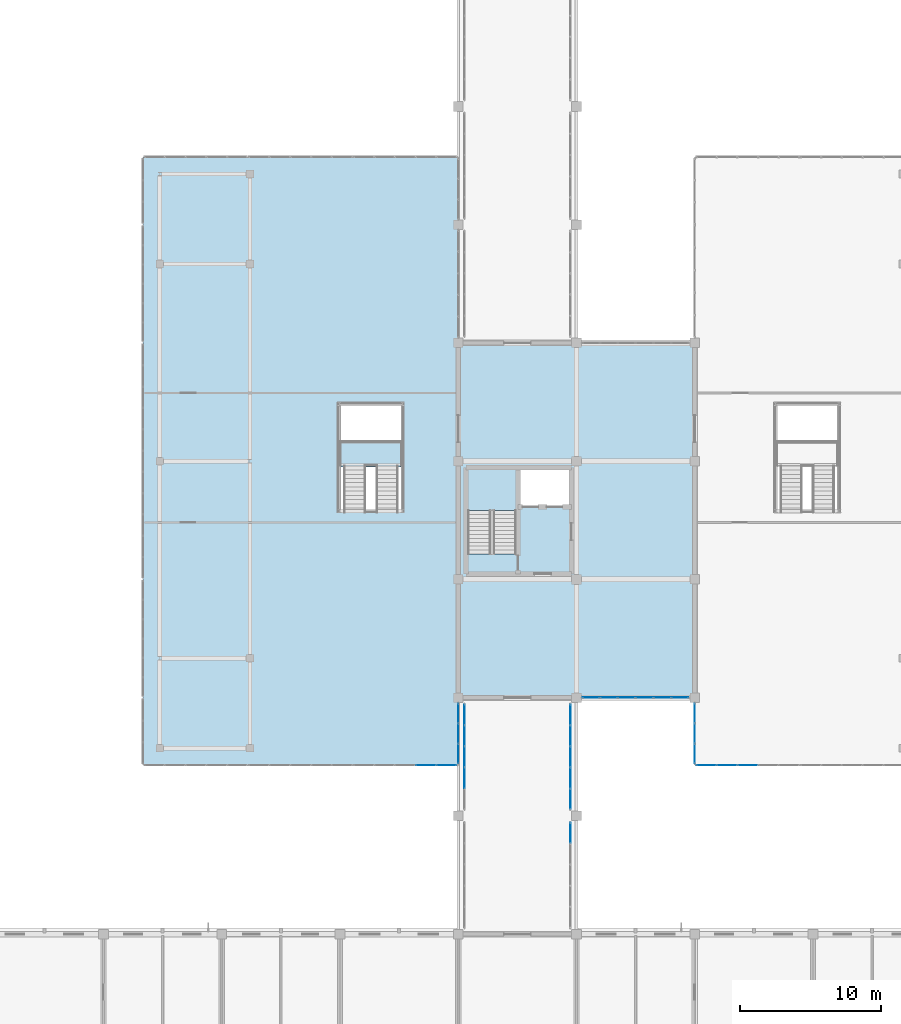
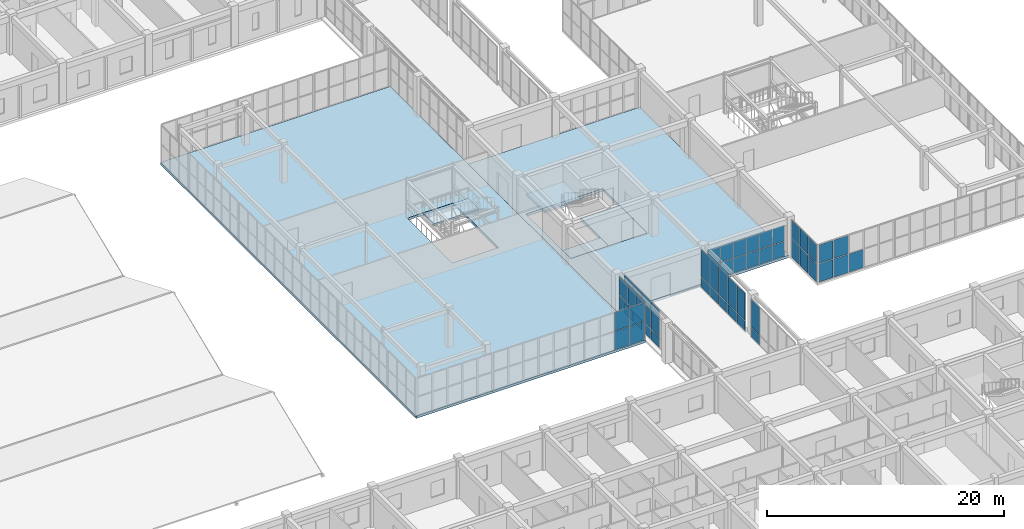
# One storey, part 98 of 140: 53 plates, 6 slabs, 10 elements without a shape of their own.
"""IFC4 building model written with IfcOpenShell, lengths in metres."""

from ifc_helpers import new_model, si_unit, direction, frame, origin, origin_2d, place, context, subcontext, project, spatial, polyline, rectangle, outline, extrude, material, layer, layer_set, type_object, element, aggregate, save


model = new_model("IFC4")

# Units and contexts
model_context = context("Model", 3, precision=1e-05, world=origin(), true_north=direction((0.0, 1.0)))
body_context = subcontext(model_context, "Body", "Model", "MODEL_VIEW")
ifc_project = project(units=[si_unit("LENGTHUNIT", "METRE"), si_unit("AREAUNIT", "SQUARE_METRE"), si_unit("VOLUMEUNIT", "CUBIC_METRE"), si_unit("PLANEANGLEUNIT", "RADIAN"), si_unit("MASSUNIT", "GRAM", prefix="KILO")], contexts=[model_context])

# Site, building, storey
site_placement = place(None, origin())
site = spatial("IfcSite", under=ifc_project, at=site_placement, CompositionType="ELEMENT")
building_placement = place(site_placement, origin())
building = spatial("IfcBuilding", under=site, at=building_placement, Name="Trelvath General Hospital", CompositionType="ELEMENT")
storey_placement = place(building_placement, frame((0.0, 0.0, 16.199951171875)))
storey = spatial("IfcBuildingStorey", under=building, at=storey_placement, Name="L04", CompositionType="ELEMENT", Elevation=16.199951171875)

# Curtain wall, plates
ifc_material_1 = material(Name="Anodised aluminium and low-E glass", Category="aluminium")
ifc_layer_1 = layer(ifc_material_1, 0.139892578125)
ifc_layer_set_1 = layer_set([ifc_layer_1], Name="Anodised aluminium and low-E glass")
curtain_wall_type_1 = type_object("IfcCurtainWallType", Name="CW CrystalCube 737 396 14", PredefinedType="USERDEFINED", material=ifc_layer_set_1)
curtain_wall_1_placement = place(storey_placement, origin())
curtain_wall_1 = element("IfcCurtainWall", 1, at=curtain_wall_1_placement, inside=storey, type_object=curtain_wall_type_1, Name="Crystal Cube Curtain Wall CUBE-W-T1 S3 L04", ObjectType="Unitised Glazed Curtain Wall", PredefinedType="USERDEFINED")
ifc_material_2 = material(Name="Low-E laminated glass", Category="glass")
ifc_layer_2 = layer(ifc_material_2, 0.028076171875)
ifc_layer_set_2 = layer_set([ifc_layer_2], Name="Low-E laminated glass")
plate_type_1 = type_object("IfcPlateType", Name="CurtainPanel Glass28", PredefinedType="CURTAIN_PANEL", material=ifc_layer_set_2)
plate_1_placement = place(storey_placement, frame((74.768310546875, 37.199951171875, 0.06005859375), z_axis=(0.0, 0.0, 1.0), x_axis=(-1.0, 0.0, 0.0)))
plate_1 = element("IfcPlate", 2, at=plate_1_placement, type_object=plate_type_1, Name="CW-270 panel 1.1", PredefinedType="CURTAIN_PANEL", context=body_context, shape_type="SweptSolid", body=[
    extrude(rectangle(XDim=1.38330078125, YDim=0.028076171875, at=origin_2d()), origin(), (0.0, 0.0, 1.0), 1.889892578125),
])
plate_2_placement = place(storey_placement, frame((74.768310546875, 37.199951171875, 2.01025390625), z_axis=(0.0, 0.0, 1.0), x_axis=(-1.0, 0.0, 0.0)))
plate_2 = element("IfcPlate", 3, at=plate_2_placement, type_object=plate_type_1, Name="CW-270 panel 1.2", PredefinedType="CURTAIN_PANEL", context=body_context, shape_type="SweptSolid", body=[
    extrude(rectangle(XDim=1.38330078125, YDim=0.028076171875, at=origin_2d()), origin(), (0.0, 0.0, 1.0), 1.889892578125),
])
plate_3_placement = place(storey_placement, frame((73.31005859375, 37.199951171875, 0.06005859375), z_axis=(0.0, 0.0, 1.0), x_axis=(-1.0, 0.0, 0.0)))
plate_3 = element("IfcPlate", 4, at=plate_3_placement, type_object=plate_type_1, Name="CW-270 panel 2.1", PredefinedType="CURTAIN_PANEL", context=body_context, shape_type="SweptSolid", body=[
    extrude(rectangle(XDim=1.413330078125, YDim=0.028076171875, at=origin_2d()), origin(), (0.0, 0.0, 1.0), 1.889892578125),
])
plate_4_placement = place(storey_placement, frame((73.31005859375, 37.199951171875, 2.01025390625), z_axis=(0.0, 0.0, 1.0), x_axis=(-1.0, 0.0, 0.0)))
plate_4 = element("IfcPlate", 5, at=plate_4_placement, type_object=plate_type_1, Name="CW-270 panel 2.2", PredefinedType="CURTAIN_PANEL", context=body_context, shape_type="SweptSolid", body=[
    extrude(rectangle(XDim=1.413330078125, YDim=0.028076171875, at=origin_2d()), origin(), (0.0, 0.0, 1.0), 1.889892578125),
])
aggregate(curtain_wall_1, [plate_1, plate_2, plate_3, plate_4])

ifc_material_3 = material(Name="Anodised aluminium and low-E glass", Category="aluminium")
ifc_layer_3 = layer(ifc_material_3, 0.139892578125)
ifc_layer_set_3 = layer_set([ifc_layer_3], Name="Anodised aluminium and low-E glass")
curtain_wall_type_2 = type_object("IfcCurtainWallType", Name="CW CrystalCube 435 396 14", PredefinedType="USERDEFINED", material=ifc_layer_set_3)
curtain_wall_2_placement = place(storey_placement, origin())
curtain_wall_2 = element("IfcCurtainWall", 6, at=curtain_wall_2_placement, inside=storey, type_object=curtain_wall_type_2, Name="Crystal Cube Curtain Wall CUBE-W-T1 E1 L04", ObjectType="Unitised Glazed Curtain Wall", PredefinedType="USERDEFINED")
plate_5_placement = place(storey_placement, frame((75.60009765625, 40.889892578125, 0.06005859375), z_axis=(0.0, 0.0, 1.0), x_axis=(0.0, -1.0, 0.0)))
plate_5 = element("IfcPlate", 7, at=plate_5_placement, type_object=plate_type_1, Name="CW-275 panel 1.1", PredefinedType="CURTAIN_PANEL", context=body_context, shape_type="SweptSolid", body=[
    extrude(rectangle(XDim=1.360107421875, YDim=0.028076171875, at=origin_2d()), origin(), (0.0, 0.0, 1.0), 1.889892578125),
])
plate_6_placement = place(storey_placement, frame((75.60009765625, 40.889892578125, 2.01025390625), z_axis=(0.0, 0.0, 1.0), x_axis=(0.0, -1.0, 0.0)))
plate_6 = element("IfcPlate", 8, at=plate_6_placement, type_object=plate_type_1, Name="CW-275 panel 1.2", PredefinedType="CURTAIN_PANEL", context=body_context, shape_type="SweptSolid", body=[
    extrude(rectangle(XDim=1.360107421875, YDim=0.028076171875, at=origin_2d()), origin(), (0.0, 0.0, 1.0), 1.889892578125),
])
plate_7_placement = place(storey_placement, frame((75.60009765625, 39.455078125, 0.06005859375), z_axis=(0.0, 0.0, 1.0), x_axis=(0.0, -1.0, 0.0)))
plate_7 = element("IfcPlate", 9, at=plate_7_placement, type_object=plate_type_1, Name="CW-275 panel 2.1", PredefinedType="CURTAIN_PANEL", context=body_context, shape_type="SweptSolid", body=[
    extrude(rectangle(XDim=1.389892578125, YDim=0.028076171875, at=origin_2d()), origin(), (0.0, 0.0, 1.0), 1.889892578125),
])
plate_8_placement = place(storey_placement, frame((75.60009765625, 39.455078125, 2.01025390625), z_axis=(0.0, 0.0, 1.0), x_axis=(0.0, -1.0, 0.0)))
plate_8 = element("IfcPlate", 10, at=plate_8_placement, type_object=plate_type_1, Name="CW-275 panel 2.2", PredefinedType="CURTAIN_PANEL", context=body_context, shape_type="SweptSolid", body=[
    extrude(rectangle(XDim=1.389892578125, YDim=0.028076171875, at=origin_2d()), origin(), (0.0, 0.0, 1.0), 1.889892578125),
])
plate_9_placement = place(storey_placement, frame((75.60009765625, 38.02001953125, 0.06005859375), z_axis=(0.0, 0.0, 1.0), x_axis=(0.0, -1.0, 0.0)))
plate_9 = element("IfcPlate", 11, at=plate_9_placement, type_object=plate_type_1, Name="CW-275 panel 3.1", PredefinedType="CURTAIN_PANEL", context=body_context, shape_type="SweptSolid", body=[
    extrude(rectangle(XDim=1.360107421875, YDim=0.028076171875, at=origin_2d()), origin(), (0.0, 0.0, 1.0), 1.889892578125),
])
plate_10_placement = place(storey_placement, frame((75.60009765625, 38.02001953125, 2.01025390625), z_axis=(0.0, 0.0, 1.0), x_axis=(0.0, -1.0, 0.0)))
plate_10 = element("IfcPlate", 12, at=plate_10_placement, type_object=plate_type_1, Name="CW-275 panel 3.2", PredefinedType="CURTAIN_PANEL", context=body_context, shape_type="SweptSolid", body=[
    extrude(rectangle(XDim=1.360107421875, YDim=0.028076171875, at=origin_2d()), origin(), (0.0, 0.0, 1.0), 1.889892578125),
])
aggregate(curtain_wall_2, [plate_5, plate_6, plate_7, plate_8, plate_9, plate_10])

curtain_wall_3_placement = place(storey_placement, origin())
curtain_wall_3 = element("IfcCurtainWall", 13, at=curtain_wall_3_placement, inside=storey, type_object=curtain_wall_type_1, Name="Crystal Cube Curtain Wall CUBE-E-T1 S1 L04", ObjectType="Unitised Glazed Curtain Wall", PredefinedType="USERDEFINED")
plate_11_placement = place(storey_placement, frame((96.163330078125, 37.199951171875, 0.06005859375), z_axis=(0.0, 0.0, 1.0), x_axis=(-1.0, 0.0, 0.0)))
plate_11 = element("IfcPlate", 14, at=plate_11_placement, type_object=plate_type_1, Name="CW-282 panel 3.1", PredefinedType="CURTAIN_PANEL", context=body_context, shape_type="SweptSolid", body=[
    extrude(rectangle(XDim=1.413330078125, YDim=0.028076171875, at=origin_2d()), origin(), (0.0, 0.0, 1.0), 1.889892578125),
])
plate_12_placement = place(storey_placement, frame((94.68994140625, 37.199951171875, 0.06005859375), z_axis=(0.0, 0.0, 1.0), x_axis=(-1.0, 0.0, 0.0)))
plate_12 = element("IfcPlate", 15, at=plate_12_placement, type_object=plate_type_1, Name="CW-282 panel 4.1", PredefinedType="CURTAIN_PANEL", context=body_context, shape_type="SweptSolid", body=[
    extrude(rectangle(XDim=1.413330078125, YDim=0.028076171875, at=origin_2d()), origin(), (0.0, 0.0, 1.0), 1.889892578125),
])
plate_13_placement = place(storey_placement, frame((94.68994140625, 37.199951171875, 2.01025390625), z_axis=(0.0, 0.0, 1.0), x_axis=(-1.0, 0.0, 0.0)))
plate_13 = element("IfcPlate", 16, at=plate_13_placement, type_object=plate_type_1, Name="CW-282 panel 4.2", PredefinedType="CURTAIN_PANEL", context=body_context, shape_type="SweptSolid", body=[
    extrude(rectangle(XDim=1.413330078125, YDim=0.028076171875, at=origin_2d()), origin(), (0.0, 0.0, 1.0), 1.889892578125),
])
plate_14_placement = place(storey_placement, frame((93.231689453125, 37.199951171875, 0.06005859375), z_axis=(0.0, 0.0, 1.0), x_axis=(-1.0, 0.0, 0.0)))
plate_14 = element("IfcPlate", 17, at=plate_14_placement, type_object=plate_type_1, Name="CW-282 panel 5.1", PredefinedType="CURTAIN_PANEL", context=body_context, shape_type="SweptSolid", body=[
    extrude(rectangle(XDim=1.38330078125, YDim=0.028076171875, at=origin_2d()), origin(), (0.0, 0.0, 1.0), 1.889892578125),
])
plate_15_placement = place(storey_placement, frame((93.231689453125, 37.199951171875, 2.01025390625), z_axis=(0.0, 0.0, 1.0), x_axis=(-1.0, 0.0, 0.0)))
plate_15 = element("IfcPlate", 18, at=plate_15_placement, type_object=plate_type_1, Name="CW-282 panel 5.2", PredefinedType="CURTAIN_PANEL", context=body_context, shape_type="SweptSolid", body=[
    extrude(rectangle(XDim=1.38330078125, YDim=0.028076171875, at=origin_2d()), origin(), (0.0, 0.0, 1.0), 1.889892578125),
])
aggregate(curtain_wall_3, [plate_11, plate_12, plate_13, plate_14, plate_15])

curtain_wall_4_placement = place(storey_placement, origin())
curtain_wall_4 = element("IfcCurtainWall", 19, at=curtain_wall_4_placement, inside=storey, type_object=curtain_wall_type_2, Name="Crystal Cube Curtain Wall CUBE-E-T1 W1 L04", ObjectType="Unitised Glazed Curtain Wall", PredefinedType="USERDEFINED")
plate_16_placement = place(storey_placement, frame((92.39990234375, 38.02001953125, 0.06005859375), z_axis=(0.0, 0.0, 1.0), x_axis=(0.0, 1.0, 0.0)))
plate_16 = element("IfcPlate", 20, at=plate_16_placement, type_object=plate_type_1, Name="CW-289 panel 1.1", PredefinedType="CURTAIN_PANEL", context=body_context, shape_type="SweptSolid", body=[
    extrude(rectangle(XDim=1.360107421875, YDim=0.028076171875, at=origin_2d()), origin(), (0.0, 0.0, 1.0), 1.889892578125),
])
plate_17_placement = place(storey_placement, frame((92.39990234375, 38.02001953125, 2.01025390625), z_axis=(0.0, 0.0, 1.0), x_axis=(0.0, 1.0, 0.0)))
plate_17 = element("IfcPlate", 21, at=plate_17_placement, type_object=plate_type_1, Name="CW-289 panel 1.2", PredefinedType="CURTAIN_PANEL", context=body_context, shape_type="SweptSolid", body=[
    extrude(rectangle(XDim=1.360107421875, YDim=0.028076171875, at=origin_2d()), origin(), (0.0, 0.0, 1.0), 1.889892578125),
])
plate_18_placement = place(storey_placement, frame((92.39990234375, 39.455078125, 0.06005859375), z_axis=(0.0, 0.0, 1.0), x_axis=(0.0, 1.0, 0.0)))
plate_18 = element("IfcPlate", 22, at=plate_18_placement, type_object=plate_type_1, Name="CW-289 panel 2.1", PredefinedType="CURTAIN_PANEL", context=body_context, shape_type="SweptSolid", body=[
    extrude(rectangle(XDim=1.389892578125, YDim=0.028076171875, at=origin_2d()), origin(), (0.0, 0.0, 1.0), 1.889892578125),
])
plate_19_placement = place(storey_placement, frame((92.39990234375, 39.455078125, 2.01025390625), z_axis=(0.0, 0.0, 1.0), x_axis=(0.0, 1.0, 0.0)))
plate_19 = element("IfcPlate", 23, at=plate_19_placement, type_object=plate_type_1, Name="CW-289 panel 2.2", PredefinedType="CURTAIN_PANEL", context=body_context, shape_type="SweptSolid", body=[
    extrude(rectangle(XDim=1.389892578125, YDim=0.028076171875, at=origin_2d()), origin(), (0.0, 0.0, 1.0), 1.889892578125),
])
plate_20_placement = place(storey_placement, frame((92.39990234375, 40.889892578125, 0.06005859375), z_axis=(0.0, 0.0, 1.0), x_axis=(0.0, 1.0, 0.0)))
plate_20 = element("IfcPlate", 24, at=plate_20_placement, type_object=plate_type_1, Name="CW-289 panel 3.1", PredefinedType="CURTAIN_PANEL", context=body_context, shape_type="SweptSolid", body=[
    extrude(rectangle(XDim=1.360107421875, YDim=0.028076171875, at=origin_2d()), origin(), (0.0, 0.0, 1.0), 1.889892578125),
])
plate_21_placement = place(storey_placement, frame((92.39990234375, 40.889892578125, 2.01025390625), z_axis=(0.0, 0.0, 1.0), x_axis=(0.0, 1.0, 0.0)))
plate_21 = element("IfcPlate", 25, at=plate_21_placement, type_object=plate_type_1, Name="CW-289 panel 3.2", PredefinedType="CURTAIN_PANEL", context=body_context, shape_type="SweptSolid", body=[
    extrude(rectangle(XDim=1.360107421875, YDim=0.028076171875, at=origin_2d()), origin(), (0.0, 0.0, 1.0), 1.889892578125),
])
aggregate(curtain_wall_4, [plate_16, plate_17, plate_18, plate_19, plate_20, plate_21])

ifc_material_4 = material(Name="Anodised aluminium and low-E glass", Category="aluminium")
ifc_layer_4 = layer(ifc_material_4, 0.139892578125)
ifc_layer_set_4 = layer_set([ifc_layer_4], Name="Anodised aluminium and low-E glass")
curtain_wall_type_3 = type_object("IfcCurtainWallType", Name="CW Bridge 752 401", PredefinedType="USERDEFINED", material=ifc_layer_set_4)
curtain_wall_5_placement = place(storey_placement, origin())
curtain_wall_5 = element("IfcCurtainWall", 26, at=curtain_wall_5_placement, inside=storey, type_object=curtain_wall_type_3, Name="Glazed Bridge Curtain Wall BRG-S-C E L04", ObjectType="Unitised Glazed Curtain Wall", PredefinedType="USERDEFINED")
plate_22_placement = place(storey_placement, frame((83.56005859375, 32.39306640625, 0.06005859375), z_axis=(0.0, 0.0, 1.0), x_axis=(0.0, -1.0, 0.0)))
plate_22 = element("IfcPlate", 27, at=plate_22_placement, type_object=plate_type_1, Name="CW-303 panel 1.1", PredefinedType="CURTAIN_PANEL", context=body_context, shape_type="SweptSolid", body=[
    extrude(rectangle(XDim=1.4140625, YDim=0.028076171875, at=origin_2d()), origin(), (0.0, 0.0, 1.0), 1.010009765625),
])
plate_23_placement = place(storey_placement, frame((83.56005859375, 32.39306640625, 1.1298828125), z_axis=(0.0, 0.0, 1.0), x_axis=(0.0, -1.0, 0.0)))
plate_23 = element("IfcPlate", 28, at=plate_23_placement, type_object=plate_type_1, Name="CW-303 panel 1.2", PredefinedType="CURTAIN_PANEL", context=body_context, shape_type="SweptSolid", body=[
    extrude(rectangle(XDim=1.4140625, YDim=0.028076171875, at=origin_2d()), origin(), (0.0, 0.0, 1.0), 2.820068359375),
])
aggregate(curtain_wall_5, [plate_22, plate_23])

curtain_wall_6_placement = place(storey_placement, origin())
curtain_wall_6 = element("IfcCurtainWall", 29, at=curtain_wall_6_placement, inside=storey, type_object=curtain_wall_type_3, Name="Glazed Bridge Curtain Wall BRG-S-C W L04", ObjectType="Unitised Glazed Curtain Wall", PredefinedType="USERDEFINED")
plate_24_placement = place(storey_placement, frame((76.0400390625, 36.2958984375, 0.06005859375), z_axis=(0.0, 0.0, 1.0), x_axis=(0.0, 1.0, 0.0)))
plate_24 = element("IfcPlate", 30, at=plate_24_placement, type_object=plate_type_1, Name="CW-304 panel 2.1", PredefinedType="CURTAIN_PANEL", context=body_context, shape_type="SweptSolid", body=[
    extrude(rectangle(XDim=1.444091796875, YDim=0.028076171875, at=origin_2d()), origin(), (0.0, 0.0, 1.0), 1.010009765625),
])
plate_25_placement = place(storey_placement, frame((76.0400390625, 36.2958984375, 1.1298828125), z_axis=(0.0, 0.0, 1.0), x_axis=(0.0, 1.0, 0.0)))
plate_25 = element("IfcPlate", 31, at=plate_25_placement, type_object=plate_type_1, Name="CW-304 panel 2.2", PredefinedType="CURTAIN_PANEL", context=body_context, shape_type="SweptSolid", body=[
    extrude(rectangle(XDim=1.444091796875, YDim=0.028076171875, at=origin_2d()), origin(), (0.0, 0.0, 1.0), 2.820068359375),
])
plate_26_placement = place(storey_placement, frame((76.0400390625, 37.800048828125, 0.06005859375), z_axis=(0.0, 0.0, 1.0), x_axis=(0.0, 1.0, 0.0)))
plate_26 = element("IfcPlate", 32, at=plate_26_placement, type_object=plate_type_1, Name="CW-304 panel 3.1", PredefinedType="CURTAIN_PANEL", context=body_context, shape_type="SweptSolid", body=[
    extrude(rectangle(XDim=1.444091796875, YDim=0.028076171875, at=origin_2d()), origin(), (0.0, 0.0, 1.0), 1.010009765625),
])
plate_27_placement = place(storey_placement, frame((76.0400390625, 37.800048828125, 1.1298828125), z_axis=(0.0, 0.0, 1.0), x_axis=(0.0, 1.0, 0.0)))
plate_27 = element("IfcPlate", 33, at=plate_27_placement, type_object=plate_type_1, Name="CW-304 panel 3.2", PredefinedType="CURTAIN_PANEL", context=body_context, shape_type="SweptSolid", body=[
    extrude(rectangle(XDim=1.444091796875, YDim=0.028076171875, at=origin_2d()), origin(), (0.0, 0.0, 1.0), 2.820068359375),
])
plate_28_placement = place(storey_placement, frame((76.0400390625, 39.303955078125, 0.06005859375), z_axis=(0.0, 0.0, 1.0), x_axis=(0.0, 1.0, 0.0)))
plate_28 = element("IfcPlate", 34, at=plate_28_placement, type_object=plate_type_1, Name="CW-304 panel 4.1", PredefinedType="CURTAIN_PANEL", context=body_context, shape_type="SweptSolid", body=[
    extrude(rectangle(XDim=1.444091796875, YDim=0.028076171875, at=origin_2d()), origin(), (0.0, 0.0, 1.0), 1.010009765625),
])
plate_29_placement = place(storey_placement, frame((76.0400390625, 39.303955078125, 1.1298828125), z_axis=(0.0, 0.0, 1.0), x_axis=(0.0, 1.0, 0.0)))
plate_29 = element("IfcPlate", 35, at=plate_29_placement, type_object=plate_type_1, Name="CW-304 panel 4.2", PredefinedType="CURTAIN_PANEL", context=body_context, shape_type="SweptSolid", body=[
    extrude(rectangle(XDim=1.444091796875, YDim=0.028076171875, at=origin_2d()), origin(), (0.0, 0.0, 1.0), 2.820068359375),
])
plate_30_placement = place(storey_placement, frame((76.0400390625, 40.79296875, 0.06005859375), z_axis=(0.0, 0.0, 1.0), x_axis=(0.0, 1.0, 0.0)))
plate_30 = element("IfcPlate", 36, at=plate_30_placement, type_object=plate_type_1, Name="CW-304 panel 5.1", PredefinedType="CURTAIN_PANEL", context=body_context, shape_type="SweptSolid", body=[
    extrude(rectangle(XDim=1.4140625, YDim=0.028076171875, at=origin_2d()), origin(), (0.0, 0.0, 1.0), 1.010009765625),
])
plate_31_placement = place(storey_placement, frame((76.0400390625, 40.79296875, 1.1298828125), z_axis=(0.0, 0.0, 1.0), x_axis=(0.0, 1.0, 0.0)))
plate_31 = element("IfcPlate", 37, at=plate_31_placement, type_object=plate_type_1, Name="CW-304 panel 5.2", PredefinedType="CURTAIN_PANEL", context=body_context, shape_type="SweptSolid", body=[
    extrude(rectangle(XDim=1.4140625, YDim=0.028076171875, at=origin_2d()), origin(), (0.0, 0.0, 1.0), 2.820068359375),
])
aggregate(curtain_wall_6, [plate_24, plate_25, plate_26, plate_27, plate_28, plate_29, plate_30, plate_31])

curtain_wall_7_placement = place(storey_placement, origin())
curtain_wall_7 = element("IfcCurtainWall", 38, at=curtain_wall_7_placement, inside=storey, type_object=curtain_wall_type_3, Name="Glazed Bridge Curtain Wall BRG-S-C E L04", ObjectType="Unitised Glazed Curtain Wall", PredefinedType="USERDEFINED")
plate_32_placement = place(storey_placement, frame((83.56005859375, 40.79296875, 0.06005859375), z_axis=(0.0, 0.0, 1.0), x_axis=(0.0, -1.0, 0.0)))
plate_32 = element("IfcPlate", 39, at=plate_32_placement, type_object=plate_type_1, Name="CW-305 panel 1.1", PredefinedType="CURTAIN_PANEL", context=body_context, shape_type="SweptSolid", body=[
    extrude(rectangle(XDim=1.4140625, YDim=0.028076171875, at=origin_2d()), origin(), (0.0, 0.0, 1.0), 1.010009765625),
])
plate_33_placement = place(storey_placement, frame((83.56005859375, 40.79296875, 1.1298828125), z_axis=(0.0, 0.0, 1.0), x_axis=(0.0, -1.0, 0.0)))
plate_33 = element("IfcPlate", 40, at=plate_33_placement, type_object=plate_type_1, Name="CW-305 panel 1.2", PredefinedType="CURTAIN_PANEL", context=body_context, shape_type="SweptSolid", body=[
    extrude(rectangle(XDim=1.4140625, YDim=0.028076171875, at=origin_2d()), origin(), (0.0, 0.0, 1.0), 2.820068359375),
])
plate_34_placement = place(storey_placement, frame((83.56005859375, 39.303955078125, 0.06005859375), z_axis=(0.0, 0.0, 1.0), x_axis=(0.0, -1.0, 0.0)))
plate_34 = element("IfcPlate", 41, at=plate_34_placement, type_object=plate_type_1, Name="CW-305 panel 2.1", PredefinedType="CURTAIN_PANEL", context=body_context, shape_type="SweptSolid", body=[
    extrude(rectangle(XDim=1.444091796875, YDim=0.028076171875, at=origin_2d()), origin(), (0.0, 0.0, 1.0), 1.010009765625),
])
plate_35_placement = place(storey_placement, frame((83.56005859375, 39.303955078125, 1.1298828125), z_axis=(0.0, 0.0, 1.0), x_axis=(0.0, -1.0, 0.0)))
plate_35 = element("IfcPlate", 42, at=plate_35_placement, type_object=plate_type_1, Name="CW-305 panel 2.2", PredefinedType="CURTAIN_PANEL", context=body_context, shape_type="SweptSolid", body=[
    extrude(rectangle(XDim=1.444091796875, YDim=0.028076171875, at=origin_2d()), origin(), (0.0, 0.0, 1.0), 2.820068359375),
])
plate_36_placement = place(storey_placement, frame((83.56005859375, 37.800048828125, 0.06005859375), z_axis=(0.0, 0.0, 1.0), x_axis=(0.0, -1.0, 0.0)))
plate_36 = element("IfcPlate", 43, at=plate_36_placement, type_object=plate_type_1, Name="CW-305 panel 3.1", PredefinedType="CURTAIN_PANEL", context=body_context, shape_type="SweptSolid", body=[
    extrude(rectangle(XDim=1.444091796875, YDim=0.028076171875, at=origin_2d()), origin(), (0.0, 0.0, 1.0), 1.010009765625),
])
plate_37_placement = place(storey_placement, frame((83.56005859375, 37.800048828125, 1.1298828125), z_axis=(0.0, 0.0, 1.0), x_axis=(0.0, -1.0, 0.0)))
plate_37 = element("IfcPlate", 44, at=plate_37_placement, type_object=plate_type_1, Name="CW-305 panel 3.2", PredefinedType="CURTAIN_PANEL", context=body_context, shape_type="SweptSolid", body=[
    extrude(rectangle(XDim=1.444091796875, YDim=0.028076171875, at=origin_2d()), origin(), (0.0, 0.0, 1.0), 2.820068359375),
])
plate_38_placement = place(storey_placement, frame((83.56005859375, 36.2958984375, 0.06005859375), z_axis=(0.0, 0.0, 1.0), x_axis=(0.0, -1.0, 0.0)))
plate_38 = element("IfcPlate", 45, at=plate_38_placement, type_object=plate_type_1, Name="CW-305 panel 4.1", PredefinedType="CURTAIN_PANEL", context=body_context, shape_type="SweptSolid", body=[
    extrude(rectangle(XDim=1.444091796875, YDim=0.028076171875, at=origin_2d()), origin(), (0.0, 0.0, 1.0), 1.010009765625),
])
plate_39_placement = place(storey_placement, frame((83.56005859375, 36.2958984375, 1.1298828125), z_axis=(0.0, 0.0, 1.0), x_axis=(0.0, -1.0, 0.0)))
plate_39 = element("IfcPlate", 46, at=plate_39_placement, type_object=plate_type_1, Name="CW-305 panel 4.2", PredefinedType="CURTAIN_PANEL", context=body_context, shape_type="SweptSolid", body=[
    extrude(rectangle(XDim=1.444091796875, YDim=0.028076171875, at=origin_2d()), origin(), (0.0, 0.0, 1.0), 2.820068359375),
])
plate_40_placement = place(storey_placement, frame((83.56005859375, 34.806884765625, 0.06005859375), z_axis=(0.0, 0.0, 1.0), x_axis=(0.0, -1.0, 0.0)))
plate_40 = element("IfcPlate", 47, at=plate_40_placement, type_object=plate_type_1, Name="CW-305 panel 5.1", PredefinedType="CURTAIN_PANEL", context=body_context, shape_type="SweptSolid", body=[
    extrude(rectangle(XDim=1.4140625, YDim=0.028076171875, at=origin_2d()), origin(), (0.0, 0.0, 1.0), 1.010009765625),
])
plate_41_placement = place(storey_placement, frame((83.56005859375, 34.806884765625, 1.1298828125), z_axis=(0.0, 0.0, 1.0), x_axis=(0.0, -1.0, 0.0)))
plate_41 = element("IfcPlate", 48, at=plate_41_placement, type_object=plate_type_1, Name="CW-305 panel 5.2", PredefinedType="CURTAIN_PANEL", context=body_context, shape_type="SweptSolid", body=[
    extrude(rectangle(XDim=1.4140625, YDim=0.028076171875, at=origin_2d()), origin(), (0.0, 0.0, 1.0), 2.820068359375),
])
aggregate(curtain_wall_7, [plate_32, plate_33, plate_34, plate_35, plate_36, plate_37, plate_38, plate_39, plate_40, plate_41])

ifc_material_5 = material(Name="Anodised aluminium and low-E glass", Category="aluminium")
ifc_layer_5 = layer(ifc_material_5, 0.14990234375)
ifc_layer_set_5 = layer_set([ifc_layer_5], Name="Anodised aluminium and low-E glass")
curtain_wall_type_4 = type_object("IfcCurtainWallType", Name="CW Facade 761 332 15", PredefinedType="USERDEFINED", material=ifc_layer_set_5)
curtain_wall_8_placement = place(storey_placement, origin())
curtain_wall_8 = element("IfcCurtainWall", 49, at=curtain_wall_8_placement, inside=storey, type_object=curtain_wall_type_4, Name="Facade Curtain Wall CW-064", ObjectType="Unitised Glazed Curtain Wall", PredefinedType="USERDEFINED")
ifc_material_6 = material(Name="Low-E laminated glass", Category="glass")
ifc_layer_6 = layer(ifc_material_6, 0.035888671875)
ifc_layer_set_6 = layer_set([ifc_layer_6], Name="Low-E laminated glass")
plate_type_2 = type_object("IfcPlateType", Name="CurtainPanel Glass36", PredefinedType="CURTAIN_PANEL", material=ifc_layer_set_6)
plate_42_placement = place(storey_placement, frame((91.355712890625, 42.0, 0.06005859375), z_axis=(0.0, 0.0, 1.0), x_axis=(-1.0, 0.0, 0.0)))
plate_42 = element("IfcPlate", 50, at=plate_42_placement, type_object=plate_type_2, Name="CW-064 panel 1.1", PredefinedType="CURTAIN_PANEL", context=body_context, shape_type="SweptSolid", body=[
    extrude(rectangle(XDim=1.17822265625, YDim=0.035888671875, at=origin_2d()), origin(), (0.0, 0.0, 1.0), 1.50390625),
])
plate_43_placement = place(storey_placement, frame((91.355712890625, 42.0, 1.6240234375), z_axis=(0.0, 0.0, 1.0), x_axis=(-1.0, 0.0, 0.0)))
plate_43 = element("IfcPlate", 51, at=plate_43_placement, type_object=plate_type_2, Name="CW-064 panel 1.2", PredefinedType="CURTAIN_PANEL", context=body_context, shape_type="SweptSolid", body=[
    extrude(rectangle(XDim=1.17822265625, YDim=0.035888671875, at=origin_2d()), origin(), (0.0, 0.0, 1.0), 1.635986328125),
])
plate_44_placement = place(storey_placement, frame((90.1025390625, 42.0, 0.06005859375), z_axis=(0.0, 0.0, 1.0), x_axis=(-1.0, 0.0, 0.0)))
plate_44 = element("IfcPlate", 52, at=plate_44_placement, type_object=plate_type_2, Name="CW-064 panel 2.1", PredefinedType="CURTAIN_PANEL", context=body_context, shape_type="SweptSolid", body=[
    extrude(rectangle(XDim=1.208251953125, YDim=0.035888671875, at=origin_2d()), origin(), (0.0, 0.0, 1.0), 1.50390625),
])
plate_45_placement = place(storey_placement, frame((90.1025390625, 42.0, 1.6240234375), z_axis=(0.0, 0.0, 1.0), x_axis=(-1.0, 0.0, 0.0)))
plate_45 = element("IfcPlate", 53, at=plate_45_placement, type_object=plate_type_2, Name="CW-064 panel 2.2", PredefinedType="CURTAIN_PANEL", context=body_context, shape_type="SweptSolid", body=[
    extrude(rectangle(XDim=1.208251953125, YDim=0.035888671875, at=origin_2d()), origin(), (0.0, 0.0, 1.0), 1.635986328125),
])
plate_46_placement = place(storey_placement, frame((88.834228515625, 42.0, 0.06005859375), z_axis=(0.0, 0.0, 1.0), x_axis=(-1.0, 0.0, 0.0)))
plate_46 = element("IfcPlate", 54, at=plate_46_placement, type_object=plate_type_2, Name="CW-064 panel 3.1", PredefinedType="CURTAIN_PANEL", context=body_context, shape_type="SweptSolid", body=[
    extrude(rectangle(XDim=1.208251953125, YDim=0.035888671875, at=origin_2d()), origin(), (0.0, 0.0, 1.0), 1.50390625),
])
plate_47_placement = place(storey_placement, frame((88.834228515625, 42.0, 1.6240234375), z_axis=(0.0, 0.0, 1.0), x_axis=(-1.0, 0.0, 0.0)))
plate_47 = element("IfcPlate", 55, at=plate_47_placement, type_object=plate_type_2, Name="CW-064 panel 3.2", PredefinedType="CURTAIN_PANEL", context=body_context, shape_type="SweptSolid", body=[
    extrude(rectangle(XDim=1.208251953125, YDim=0.035888671875, at=origin_2d()), origin(), (0.0, 0.0, 1.0), 1.635986328125),
])
plate_48_placement = place(storey_placement, frame((87.56591796875, 42.0, 0.06005859375), z_axis=(0.0, 0.0, 1.0), x_axis=(-1.0, 0.0, 0.0)))
plate_48 = element("IfcPlate", 56, at=plate_48_placement, type_object=plate_type_2, Name="CW-064 panel 4.1", PredefinedType="CURTAIN_PANEL", context=body_context, shape_type="SweptSolid", body=[
    extrude(rectangle(XDim=1.208251953125, YDim=0.035888671875, at=origin_2d()), origin(), (0.0, 0.0, 1.0), 1.50390625),
])
plate_49_placement = place(storey_placement, frame((87.56591796875, 42.0, 1.6240234375), z_axis=(0.0, 0.0, 1.0), x_axis=(-1.0, 0.0, 0.0)))
plate_49 = element("IfcPlate", 57, at=plate_49_placement, type_object=plate_type_2, Name="CW-064 panel 4.2", PredefinedType="CURTAIN_PANEL", context=body_context, shape_type="SweptSolid", body=[
    extrude(rectangle(XDim=1.208251953125, YDim=0.035888671875, at=origin_2d()), origin(), (0.0, 0.0, 1.0), 1.635986328125),
])
plate_50_placement = place(storey_placement, frame((86.297607421875, 42.0, 0.06005859375), z_axis=(0.0, 0.0, 1.0), x_axis=(-1.0, 0.0, 0.0)))
plate_50 = element("IfcPlate", 58, at=plate_50_placement, type_object=plate_type_2, Name="CW-064 panel 5.1", PredefinedType="CURTAIN_PANEL", context=body_context, shape_type="SweptSolid", body=[
    extrude(rectangle(XDim=1.208251953125, YDim=0.035888671875, at=origin_2d()), origin(), (0.0, 0.0, 1.0), 1.50390625),
])
plate_51_placement = place(storey_placement, frame((86.297607421875, 42.0, 1.6240234375), z_axis=(0.0, 0.0, 1.0), x_axis=(-1.0, 0.0, 0.0)))
plate_51 = element("IfcPlate", 59, at=plate_51_placement, type_object=plate_type_2, Name="CW-064 panel 5.2", PredefinedType="CURTAIN_PANEL", context=body_context, shape_type="SweptSolid", body=[
    extrude(rectangle(XDim=1.208251953125, YDim=0.035888671875, at=origin_2d()), origin(), (0.0, 0.0, 1.0), 1.635986328125),
])
plate_52_placement = place(storey_placement, frame((85.044189453125, 42.0, 0.06005859375), z_axis=(0.0, 0.0, 1.0), x_axis=(-1.0, 0.0, 0.0)))
plate_52 = element("IfcPlate", 60, at=plate_52_placement, type_object=plate_type_2, Name="CW-064 panel 6.1", PredefinedType="CURTAIN_PANEL", context=body_context, shape_type="SweptSolid", body=[
    extrude(rectangle(XDim=1.17822265625, YDim=0.035888671875, at=origin_2d()), origin(), (0.0, 0.0, 1.0), 1.50390625),
])
plate_53_placement = place(storey_placement, frame((85.044189453125, 42.0, 1.6240234375), z_axis=(0.0, 0.0, 1.0), x_axis=(-1.0, 0.0, 0.0)))
plate_53 = element("IfcPlate", 61, at=plate_53_placement, type_object=plate_type_2, Name="CW-064 panel 6.2", PredefinedType="CURTAIN_PANEL", context=body_context, shape_type="SweptSolid", body=[
    extrude(rectangle(XDim=1.17822265625, YDim=0.035888671875, at=origin_2d()), origin(), (0.0, 0.0, 1.0), 1.635986328125),
])
aggregate(curtain_wall_8, [plate_42, plate_43, plate_44, plate_45, plate_46, plate_47, plate_48, plate_49, plate_50, plate_51, plate_52, plate_53])

# Slabs
ifc_material_7 = material(Name="Concrete C35/45", Category="concrete")
ifc_layer_7 = layer(ifc_material_7, 0.239990234375)
ifc_layer_set_7 = layer_set([ifc_layer_7], Name="Concrete C35/45")
slab_type_1 = type_object("IfcSlabType", Name="FlatSlab Cube240", PredefinedType="FLOOR", material=ifc_layer_set_7)
slab_1_placement = place(storey_placement, frame((0.0, 0.0, -0.239990234375)))
element("IfcSlab", 62, at=slab_1_placement, inside=storey, type_object=slab_type_1, Name="Crystal Cube Slab CUBE-W-T1 L04", PredefinedType="FLOOR", context=body_context, shape_type="SweptSolid", body=[
    extrude(outline(polyline([(53.199951171875, 37.199951171875), (75.60009765625, 37.199951171875), (75.60009765625, 80.39990234375), (53.199951171875, 80.39990234375), (53.199951171875, 37.199951171875)]), holes=[polyline([(67.14990234375, 55.25), (71.64990234375, 55.25), (71.64990234375, 62.85009765625), (67.14990234375, 62.85009765625), (67.14990234375, 55.25)])]), origin(), (0.0, 0.0, 1.0), 0.239990234375),
])
ifc_material_8 = material(Name="Concrete C35/45", Category="concrete")
ifc_layer_8 = layer(ifc_material_8, 0.260009765625)
ifc_layer_set_8 = layer_set([ifc_layer_8], Name="Concrete C35/45")
slab_type_2 = type_object("IfcSlabType", Name="FlatSlab Ward260", PredefinedType="FLOOR", material=ifc_layer_set_8)
slab_2_placement = place(storey_placement, frame((0.0, 0.0, -0.260009765625)))
element("IfcSlab", 63, at=slab_2_placement, inside=storey, type_object=slab_type_2, Name="Floor Slab SL-L04-V7-C1", PredefinedType="FLOOR", context=body_context, shape_type="SweptSolid", body=[
    extrude(outline(polyline([(75.60009765625, 42.0), (75.60009765625, 67.199951171875), (92.39990234375, 67.199951171875), (92.39990234375, 42.0), (75.60009765625, 42.0)]), holes=[polyline([(76.14990234375, 50.800048828125), (83.64990234375, 50.800048828125), (83.64990234375, 58.35009765625), (76.14990234375, 58.35009765625), (76.14990234375, 50.800048828125)])]), origin(), (0.0, 0.0, 1.0), 0.260009765625),
])
slab_3_placement = place(storey_placement, frame((0.0, 0.0, -0.260009765625)))
element("IfcSlab", 64, at=slab_3_placement, inside=storey, type_object=slab_type_2, Name="Core Lobby Slab C6 L04", PredefinedType="FLOOR", context=body_context, shape_type="SweptSolid", body=[
    extrude(outline(polyline([(79.85009765625, 50.800048828125), (83.64990234375, 50.800048828125), (83.64990234375, 55.550048828125), (79.85009765625, 55.550048828125), (79.85009765625, 50.800048828125)])), origin(), (0.0, 0.0, 1.0), 0.260009765625),
])
slab_4_placement = place(storey_placement, frame((0.0, 0.0, -0.260009765625)))
element("IfcSlab", 65, at=slab_4_placement, inside=storey, type_object=slab_type_2, Name="Stair Landing Slab C6 L04", PredefinedType="FLOOR", context=body_context, shape_type="SweptSolid", body=[
    extrude(outline(polyline([(76.14990234375, 50.800048828125), (79.85009765625, 50.800048828125), (79.85009765625, 52.199951171875), (76.14990234375, 52.199951171875), (76.14990234375, 50.800048828125)])), origin(), (0.0, 0.0, 1.0), 0.260009765625),
])

# Stair, slab
ifc_material_9 = material(Name="Concrete C35/45", Category="concrete")
stair_type_1 = type_object("IfcStairType", Name="Stair Stretcher420", PredefinedType="TWO_STRAIGHT_RUN_STAIR", material=ifc_material_9)
stair_1_placement = place(storey_placement, origin())
stair_1 = element("IfcStair", 66, at=stair_1_placement, inside=storey, type_object=stair_type_1, Name="Exit Stair ST6 L04", PredefinedType="TWO_STRAIGHT_RUN_STAIR")
ifc_material_10 = material(Name="Concrete C35/45", Category="concrete")
ifc_layer_9 = layer(ifc_material_10, 0.199951171875)
ifc_layer_set_9 = layer_set([ifc_layer_9], Name="Concrete C35/45")
slab_type_3 = type_object("IfcSlabType", Name="StairLanding 200", PredefinedType="LANDING", material=ifc_layer_set_9)
slab_5_placement = place(storey_placement, frame((0.0, 0.0, 1.900146484375)))
slab_5 = element("IfcSlab", 67, at=slab_5_placement, type_object=slab_type_3, Name="ST6-L04 landing 1", PredefinedType="LANDING", context=body_context, shape_type="SweptSolid", body=[
    extrude(outline(polyline([(76.159912109375, 55.280029296875), (79.840087890625, 55.280029296875), (79.840087890625, 58.340087890625), (76.159912109375, 58.340087890625), (76.159912109375, 55.280029296875)])), origin(), (0.0, 0.0, 1.0), 0.199951171875),
])
aggregate(stair_1, [slab_5])

ifc_material_11 = material(Name="Concrete C35/45", Category="concrete")
stair_type_2 = type_object("IfcStairType", Name="Stair PublicCube420", PredefinedType="TWO_STRAIGHT_RUN_STAIR", material=ifc_material_11)
stair_2_placement = place(storey_placement, origin())
stair_2 = element("IfcStair", 68, at=stair_2_placement, inside=storey, type_object=stair_type_2, Name="Public Cube Feature Stair ST9 L04", PredefinedType="TWO_STRAIGHT_RUN_STAIR")
slab_6_placement = place(storey_placement, frame((0.0, 0.0, 1.900146484375)))
slab_6 = element("IfcSlab", 69, at=slab_6_placement, type_object=slab_type_3, Name="ST9-L04 landing 1", PredefinedType="LANDING", context=body_context, shape_type="SweptSolid", body=[
    extrude(outline(polyline([(67.199951171875, 58.389892578125), (71.60009765625, 58.389892578125), (71.60009765625, 60.219970703125), (67.199951171875, 60.219970703125), (67.199951171875, 58.389892578125)])), origin(), (0.0, 0.0, 1.0), 0.199951171875),
])
aggregate(stair_2, [slab_6])

save(model, "model.ifc")
